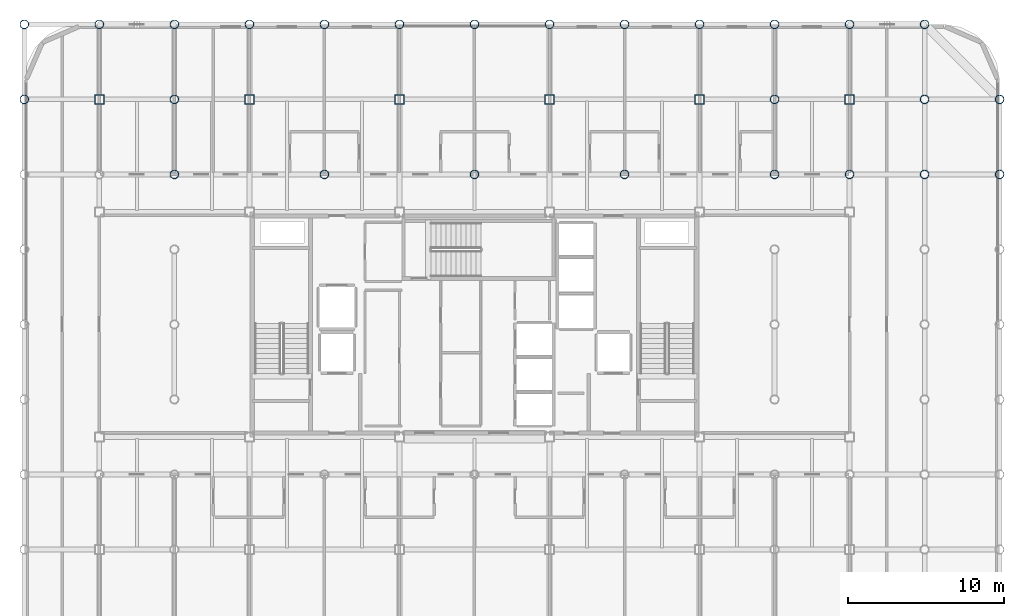
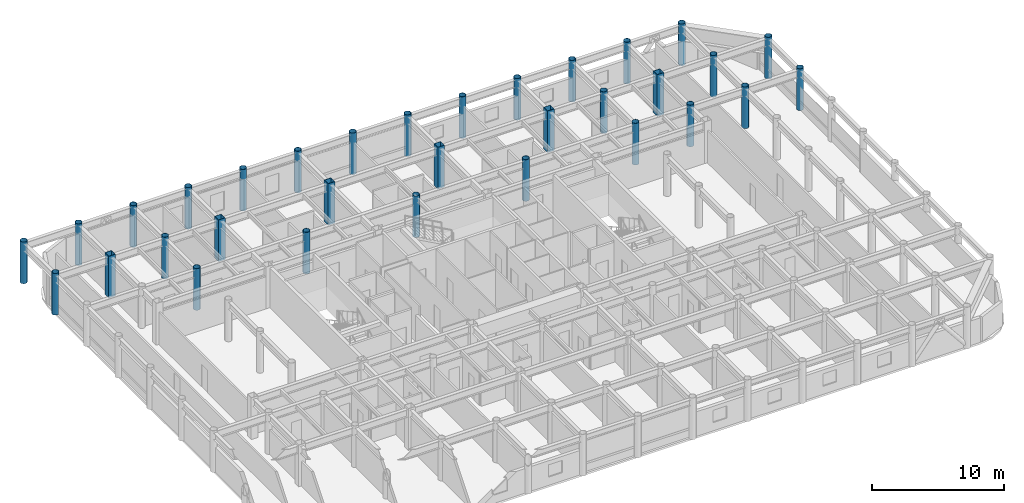
# One storey, part 2 of 22: 32 columns.
"""IFC4 building model written with IfcOpenShell, lengths in metres."""

from ifc_helpers import new_model, si_unit, direction, frame, origin, origin_2d, place, context, subcontext, project, spatial, hollow_rectangle, hollow_circle, extrude, material, material_profile, profile_set, type_object, element, save


model = new_model("IFC4")

# Units and contexts
model_context = context("Model", 3, precision=1e-05, world=origin(), true_north=direction((0.0, 1.0)))
body_context = subcontext(model_context, "Body", "Model", "MODEL_VIEW")
ifc_project = project(units=[si_unit("LENGTHUNIT", "METRE"), si_unit("AREAUNIT", "SQUARE_METRE"), si_unit("VOLUMEUNIT", "CUBIC_METRE"), si_unit("PLANEANGLEUNIT", "RADIAN"), si_unit("MASSUNIT", "GRAM", prefix="KILO")], contexts=[model_context])

# Site, building, storey
site_placement = place(None, origin())
site = spatial("IfcSite", under=ifc_project, at=site_placement, CompositionType="ELEMENT")
building_placement = place(site_placement, origin())
building = spatial("IfcBuilding", under=site, at=building_placement, Name="Kallvorn Hotel Tower", CompositionType="ELEMENT")
storey_placement = place(building_placement, frame((0.0, 0.0, 199.199951171875)))
storey = spatial("IfcBuildingStorey", under=building, at=storey_placement, Name="L49", CompositionType="ELEMENT", Elevation=199.199951171875)

# Columns
ifc_material_1 = material(Name="Structural steel S355J2H", Category="steel")
ifc_material_profile_1 = material_profile(ifc_material_1, hollow_circle(Radius=0.279541015625, WallThickness=0.02490234375, at=origin_2d()), Name="CHS 559x25")
ifc_profile_set_1 = profile_set([ifc_material_profile_1], Name="Structural steel S355J2H")
column_type_1 = type_object("IfcColumnType", Name="COL_CHS_559", PredefinedType="COLUMN", material=ifc_profile_set_1)
for number, where, z_axis, x_axis, name in (
    (1, (-28.800048828125, 14.39990234375, 0.0), (0.0, 0.0, 1.0), (1.0, 0.0, 0.0), "L49 Exoskeleton Column EC08"),
    (2, (-28.800048828125, 19.199951171875, 0.0), (0.0, 0.0, 1.0), (1.0, 0.0, 0.0), "L49 Exoskeleton Column EC09"),
    (3, (-24.0, 19.199951171875, 0.0), (0.0, 0.0, 1.0), (1.0, 0.0, 0.0), "L49 Exoskeleton Column EC14"),
    (4, (-19.199951171875, 9.60009765625, 0.0), (0.0, 0.0, 1.0), (1.0, 0.0, 0.0), "L49 Exoskeleton Column EC22"),
    (5, (-19.199951171875, 14.39990234375, 0.0), (0.0, 0.0, 1.0), (1.0, 0.0, 0.0), "L49 Exoskeleton Column EC23"),
    (6, (-19.199951171875, 19.199951171875, 0.0), (0.0, 0.0, 1.0), (1.0, 0.0, 0.0), "L49 Exoskeleton Column EC24"),
    (7, (-14.39990234375, 19.199951171875, 0.0), (0.0, 0.0, 1.0), (1.0, 0.0, 0.0), "L49 Exoskeleton Column EC27"),
    (8, (-9.60009765625, 9.60009765625, 0.0), (0.0, 0.0, 1.0), (1.0, 0.0, 0.0), "L49 Exoskeleton Column EC31"),
    (9, (-9.60009765625, 19.199951171875, 0.0), (0.0, 0.0, 1.0), (1.0, 0.0, 0.0), "L49 Exoskeleton Column EC32"),
    (10, (-4.800048828125, 19.199951171875, 0.0), (0.0, 0.0, 1.0), (1.0, 0.0, 0.0), "L49 Exoskeleton Column EC35"),
    (11, (0.0, 9.60009765625, 0.0), (0.0, 0.0, 1.0), (1.0, 0.0, 0.0), "L49 Exoskeleton Column EC39"),
    (12, (0.0, 19.199951171875, 0.0), (0.0, 0.0, 1.0), (1.0, 0.0, 0.0), "L49 Exoskeleton Column EC40"),
    (13, (4.800048828125, 19.199951171875, 0.0), (0.0, 0.0, 1.0), (1.0, 0.0, 0.0), "L49 Exoskeleton Column EC43"),
    (14, (9.60009765625, 9.60009765625, 0.0), (0.0, 0.0, 1.0), (1.0, 0.0, 0.0), "L49 Exoskeleton Column EC47"),
    (15, (9.60009765625, 19.199951171875, 0.0), (0.0, 0.0, 1.0), (1.0, 0.0, 0.0), "L49 Exoskeleton Column EC48"),
    (16, (14.39990234375, 19.199951171875, 0.0), (0.0, 0.0, 1.0), (1.0, 0.0, 0.0), "L49 Exoskeleton Column EC51"),
    (17, (19.199951171875, 9.60009765625, 0.0), (0.0, 0.0, 1.0), (1.0, 0.0, 0.0), "L49 Exoskeleton Column EC59"),
    (18, (19.199951171875, 14.39990234375, 0.0), (0.0, 0.0, 1.0), (1.0, 0.0, 0.0), "L49 Exoskeleton Column EC60"),
    (19, (19.199951171875, 19.199951171875, 0.0), (0.0, 0.0, 1.0), (1.0, 0.0, 0.0), "L49 Exoskeleton Column EC61"),
    (20, (24.0, 9.60009765625, 0.0), (0.0, 0.0, 1.0), (1.0, 0.0, 0.0), "L49 Exoskeleton Column EC65"),
    (21, (24.0, 19.199951171875, 0.0), (0.0, 0.0, 1.0), (1.0, 0.0, 0.0), "L49 Exoskeleton Column EC66"),
    (22, (28.800048828125, 9.60009765625, 0.0), (0.0, 0.0, 1.0), (1.0, 0.0, 0.0), "L49 Exoskeleton Column EC74"),
    (23, (28.800048828125, 14.39990234375, 0.0), (0.0, 0.0, 1.0), (1.0, 0.0, 0.0), "L49 Exoskeleton Column EC75"),
    (24, (28.800048828125, 19.199951171875, 0.0), (0.0, 0.0, 1.0), (1.0, 0.0, 0.0), "L49 Exoskeleton Column EC76"),
    (25, (33.60009765625, 9.60009765625, 0.0), (0.0, 0.0, 1.0), (1.0, 0.0, 0.0), "L49 Exoskeleton Column EC83"),
    (26, (33.60009765625, 14.39990234375, 0.0), (0.0, 0.0, 1.0), (1.0, 0.0, 0.0), "L49 Exoskeleton Column EC84"),
):
    element("IfcColumn", number, at=place(storey_placement, frame(where, z_axis=z_axis, x_axis=x_axis)), inside=storey, type_object=column_type_1, Name=name, PredefinedType="COLUMN", context=body_context, shape_type="SweptSolid", body=[
        extrude(hollow_circle(Radius=0.279541015625, WallThickness=0.02490234375, at=origin_2d()), origin(), (0.0, 0.0, 1.0), 3.85009765625),
    ])
ifc_material_2 = material(Name="Structural steel S355J2H", Category="steel")
ifc_material_profile_2 = material_profile(ifc_material_2, hollow_rectangle(XDim=0.60009765625, YDim=0.60009765625, WallThickness=0.028076171875, at=origin_2d()), Name="RHS 600x600x28")
ifc_profile_set_2 = profile_set([ifc_material_profile_2], Name="Structural steel S355J2H")
column_type_2 = type_object("IfcColumnType", Name="COL_RHS_600", PredefinedType="COLUMN", material=ifc_profile_set_2)
for number, where, z_axis, x_axis, name in (
    (27, (-24.0, 14.39990234375, 0.0), (0.0, 0.0, 1.0), (1.0, 0.0, 0.0), "L49 Inner Column IC04"),
    (28, (-14.39990234375, 14.39990234375, 0.0), (0.0, 0.0, 1.0), (1.0, 0.0, 0.0), "L49 Inner Column IC08"),
    (29, (-4.800048828125, 14.39990234375, 0.0), (0.0, 0.0, 1.0), (1.0, 0.0, 0.0), "L49 Inner Column IC12"),
    (30, (4.800048828125, 14.39990234375, 0.0), (0.0, 0.0, 1.0), (1.0, 0.0, 0.0), "L49 Inner Column IC16"),
    (31, (14.39990234375, 14.39990234375, 0.0), (0.0, 0.0, 1.0), (1.0, 0.0, 0.0), "L49 Inner Column IC20"),
    (32, (24.0, 14.39990234375, 0.0), (0.0, 0.0, 1.0), (1.0, 0.0, 0.0), "L49 Inner Column IC24"),
):
    element("IfcColumn", number, at=place(storey_placement, frame(where, z_axis=z_axis, x_axis=x_axis)), inside=storey, type_object=column_type_2, Name=name, PredefinedType="COLUMN", context=body_context, shape_type="SweptSolid", body=[
        extrude(hollow_rectangle(XDim=0.60009765625, YDim=0.60009765625, WallThickness=0.028076171875, at=origin_2d()), origin(), (0.0, 0.0, 1.0), 3.85009765625),
    ])

save(model, "model.ifc")
